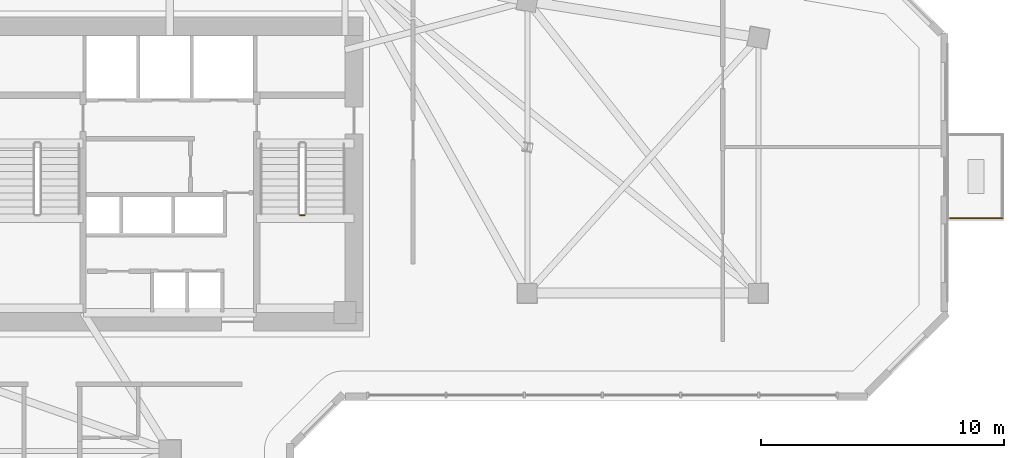
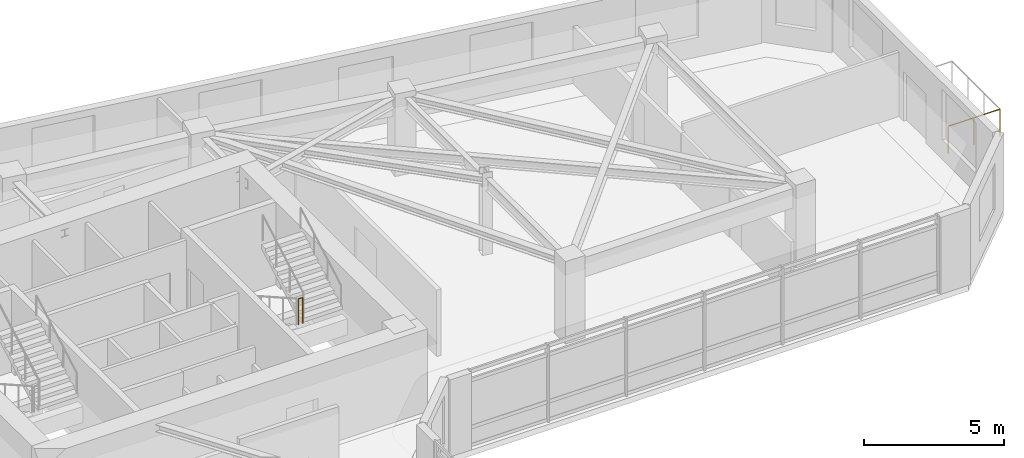
# One storey, part 11 of 13: 2 railings.
"""IFC4 building model written with IfcOpenShell, lengths in metres."""

from ifc_helpers import new_model, si_unit, direction, frame, origin, origin_2d, place, context, subcontext, project, spatial, circle, extrude, material, type_object, element, save


model = new_model("IFC4")

# Units and contexts
model_context = context("Model", 3, precision=1e-05, world=origin(), true_north=direction((0.0, 1.0)))
body_context = subcontext(model_context, "Body", "Model", "MODEL_VIEW")
ifc_project = project(units=[si_unit("LENGTHUNIT", "METRE"), si_unit("AREAUNIT", "SQUARE_METRE"), si_unit("VOLUMEUNIT", "CUBIC_METRE"), si_unit("PLANEANGLEUNIT", "RADIAN"), si_unit("MASSUNIT", "GRAM", prefix="KILO")], contexts=[model_context])

# Site, building, storey
site_placement = place(None, origin())
site = spatial("IfcSite", under=ifc_project, at=site_placement, CompositionType="ELEMENT")
building_placement = place(site_placement, origin())
building = spatial("IfcBuilding", under=site, at=building_placement, Name="Calvemar Wedge Station Tower", CompositionType="ELEMENT")
storey_placement = place(building_placement, frame((0.0, 0.0, 132.199951171875)))
storey = spatial("IfcBuildingStorey", under=building, at=storey_placement, Name="L32", CompositionType="ELEMENT", Elevation=132.199951171875)

# Railings
ifc_material_1 = material(Name="Stainless steel AISI 316L", Category="steel")
railing_type_1 = type_object("IfcRailingType", Name="GRD-TERR-1200", PredefinedType="GUARDRAIL", material=ifc_material_1)
railing_1_placement = place(storey_placement, frame((58.02001953125, 38.072021484375, 0.0)))
element("IfcRailing", 1, at=railing_1_placement, inside=storey, type_object=railing_type_1, Name="Storey L32 Spiral Terrace Guard 4", PredefinedType="GUARDRAIL", context=body_context, shape_type="SweptSolid", body=[
    extrude(circle(Radius=0.02392578125, at=origin_2d()), frame((0.0, 0.0, 1.17578125), z_axis=(-1.0, 0.0, 0.0), x_axis=(0.0, -1.0, 0.0)), (0.0, 0.0, 1.0), 2.14013671875),
    extrude(circle(Radius=0.02099609375, at=origin_2d()), origin(), (0.0, 0.0, 1.0), 1.15185546875),
    extrude(circle(Radius=0.02099609375, at=origin_2d()), frame((-1.070068359375, 0.0, 0.0)), (0.0, 0.0, 1.0), 1.15185546875),
    extrude(circle(Radius=0.02099609375, at=origin_2d()), frame((-2.14013671875, 0.0, 0.0)), (0.0, 0.0, 1.0), 1.15185546875),
])
ifc_material_2 = material(Name="Painted steel guardrail ASTM A500 Grade C", Category="steel")
railing_type_2 = type_object("IfcRailingType", Name="RL-STAIR-GUARD-1150", PredefinedType="GUARDRAIL", material=ifc_material_2)
railing_2_placement = place(storey_placement, frame((29.159912109375, 38.199951171875, 1.800048828125)))
element("IfcRailing", 2, at=railing_2_placement, inside=storey, type_object=railing_type_2, Name="L32 ST-C2 stair guard 2", PredefinedType="GUARDRAIL", context=body_context, shape_type="SweptSolid", body=[
    extrude(circle(Radius=0.02392578125, at=origin_2d()), frame((0.0, 0.0, 1.1259765625), z_axis=(1.0, 0.0, 0.0), x_axis=(0.0, 1.0, 0.0)), (0.0, 0.0, 1.0), 0.18017578125),
    extrude(circle(Radius=0.02099609375, at=origin_2d()), origin(), (0.0, 0.0, 1.0), 1.101806640625),
    extrude(circle(Radius=0.02099609375, at=origin_2d()), frame((0.18017578125, 0.0, 0.0)), (0.0, 0.0, 1.0), 1.101806640625),
])

save(model, "model.ifc")
